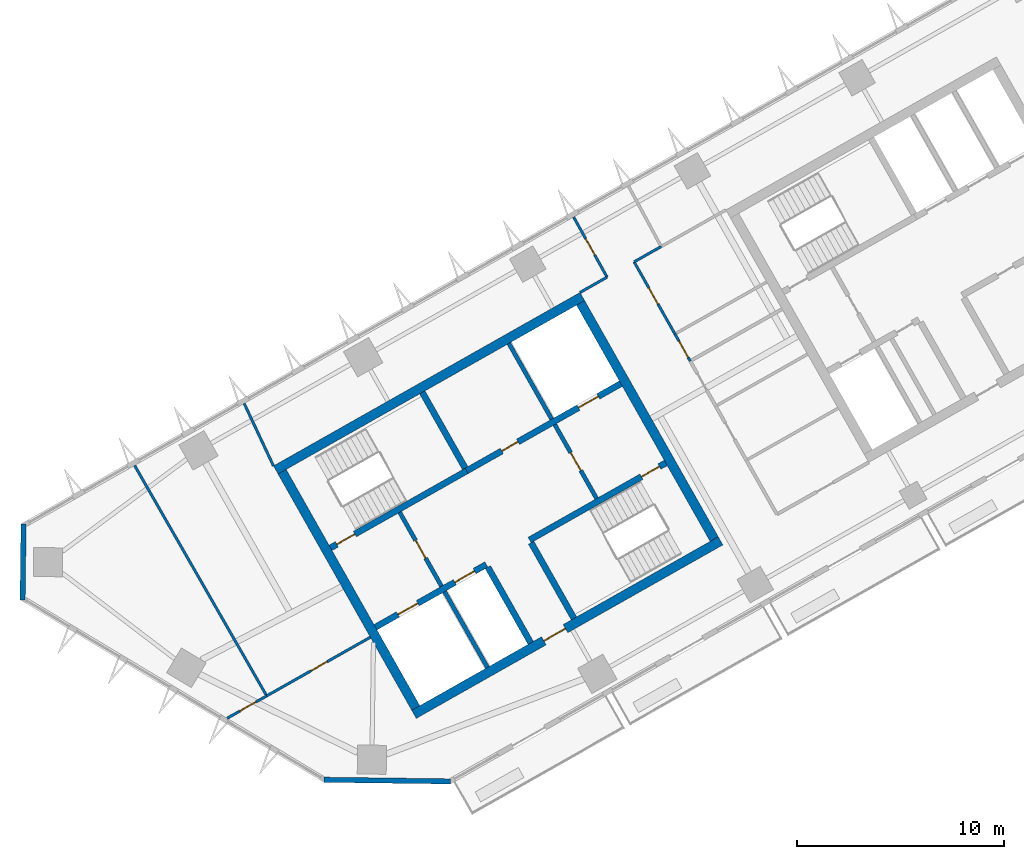
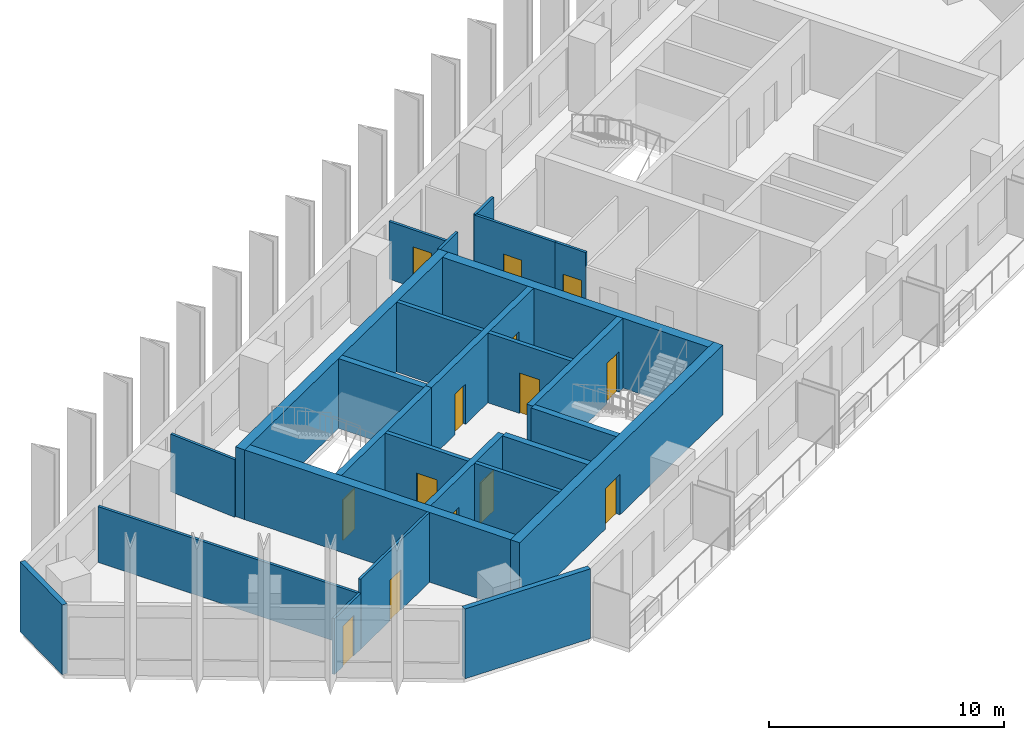
# One storey, part 3 of 11: 26 walls, 14 doors, 14 openings.
"""IFC4 building model written with IfcOpenShell, lengths in metres."""

from ifc_helpers import new_model, si_unit, direction, frame, frame_2d, origin, place, context, subcontext, project, spatial, rectangle, extrude, material, layer, layer_set, type_object, element, fill, save


model = new_model("IFC4")

# Units and contexts
model_context = context("Model", 3, precision=1e-05, world=origin(), true_north=direction((0.0, 1.0)))
body_context = subcontext(model_context, "Body", "Model", "MODEL_VIEW")
ifc_project = project(units=[si_unit("LENGTHUNIT", "METRE"), si_unit("AREAUNIT", "SQUARE_METRE"), si_unit("VOLUMEUNIT", "CUBIC_METRE"), si_unit("PLANEANGLEUNIT", "RADIAN"), si_unit("MASSUNIT", "GRAM", prefix="KILO")], contexts=[model_context])

# Site, building, storey
site_placement = place(None, origin())
site = spatial("IfcSite", under=ifc_project, at=site_placement, CompositionType="ELEMENT")
building_placement = place(site_placement, origin())
building = spatial("IfcBuilding", under=site, at=building_placement, Name="Binnacle Exchange Tower", CompositionType="ELEMENT")
storey_placement = place(building_placement, frame((0.0, 0.0, 223.10009765625)))
storey = spatial("IfcBuildingStorey", under=building, at=storey_placement, Name="L49", CompositionType="ELEMENT", Elevation=223.10009765625)

# Wall, openings, doors
ifc_material_1 = material(Name="Concrete C70/85", Category="concrete")
ifc_layer_1 = layer(ifc_material_1, 0.300048828125)
ifc_layer_set_1 = layer_set([ifc_layer_1], Name="Core wall - front 300")
wall_type_1 = type_object("IfcWallType", Name="Core wall - front 300", PredefinedType="SOLIDWALL", material=ifc_layer_set_1)
wall_1_placement = place(storey_placement, frame((-41.6865234375, 33.88720703125, 0.0), z_axis=(0.0, 0.0, 1.0), x_axis=(0.870355736587, 0.49242348826, 0.0)))
wall_1 = element("IfcWall", 1, at=wall_1_placement, inside=storey, type_object=wall_type_1, Name="Core wall CRWA2", PredefinedType="SOLIDWALL", context=body_context, shape_type="SweptSolid", body=[
    extrude(rectangle(XDim=6.14990234375, YDim=0.300048828125, at=frame_2d((3.074951171875, 0.0))), origin(), (0.0, 0.0, 1.0), 3.619873046875),
])
opening_1_placement = place(wall_1_placement, frame((1.25, 0.0, 0.0)))
opening_1 = element("IfcOpeningElement", 2, at=opening_1_placement, cuts=wall_1, Name="Opening LD12", PredefinedType="OPENING", context=body_context, shape_type="SweptSolid", body=[
    extrude(rectangle(XDim=1.10009765625, YDim=2.10009765625, at=frame_2d((0.550048828125, 1.050048828125))), frame((0.0, 0.159912109375, 0.0), z_axis=(0.0, -1.0, 0.0), x_axis=(1.0, 0.0, 0.0)), (0.0, 0.0, 1.0), 0.320068359375),
])
opening_2_placement = place(wall_1_placement, frame((4.39990234375, 0.0, 0.0)))
opening_2 = element("IfcOpeningElement", 3, at=opening_2_placement, cuts=wall_1, Name="Opening LD8", PredefinedType="OPENING", context=body_context, shape_type="SweptSolid", body=[
    extrude(rectangle(XDim=1.10009765625, YDim=2.10009765625, at=frame_2d((0.550048828125, 1.050048828125))), frame((0.0, 0.159912109375, 0.0), z_axis=(0.0, -1.0, 0.0), x_axis=(1.0, 0.0, 0.0)), (0.0, 0.0, 1.0), 0.320068359375),
])
ifc_material_2 = material(Name="Steel door leaf", Category="steel")
door_type_1 = type_object("IfcDoorType", Name="Fire door - lift landing 1100", OperationType="NOTDEFINED", PredefinedType="DOOR", material=ifc_material_2)
door_1_placement = place(opening_1_placement, origin())
door_1 = element("IfcDoor", 4, at=door_1_placement, inside=storey, type_object=door_type_1, Name="Landing door LD12 L49", OperationType="DOUBLE_DOOR_SLIDING", OverallHeight=2.10009765625, OverallWidth=1.10009765625, PredefinedType="DOOR", context=body_context, shape_type="SweptSolid", body=[
    extrude(rectangle(XDim=1.10009765625, YDim=2.10009765625, at=frame_2d((0.550048828125, 1.050048828125))), frame((0.0, 0.02490234375, 0.0), z_axis=(0.0, -1.0, 0.0), x_axis=(1.0, 0.0, 0.0)), (0.0, 0.0, 1.0), 0.050048828125),
])
fill(opening_1, door_1)
door_2_placement = place(opening_2_placement, origin())
door_2 = element("IfcDoor", 5, at=door_2_placement, inside=storey, type_object=door_type_1, Name="Landing door LD8 L49", OperationType="DOUBLE_DOOR_SLIDING", OverallHeight=2.10009765625, OverallWidth=1.10009765625, PredefinedType="DOOR", context=body_context, shape_type="SweptSolid", body=[
    extrude(rectangle(XDim=1.10009765625, YDim=2.10009765625, at=frame_2d((0.550048828125, 1.050048828125))), frame((0.0, 0.02490234375, 0.0), z_axis=(0.0, -1.0, 0.0), x_axis=(1.0, 0.0, 0.0)), (0.0, 0.0, 1.0), 0.050048828125),
])
fill(opening_2, door_2)

wall_2_placement = place(storey_placement, frame((-37.281982421875, 41.4345703125, 0.0), z_axis=(0.0, 0.0, 1.0), x_axis=(0.870352688754, 0.492428875248, 0.0)))
wall_2 = element("IfcWall", 6, at=wall_2_placement, inside=storey, type_object=wall_type_1, Name="Core wall CRWA5", PredefinedType="SOLIDWALL", context=body_context, shape_type="SweptSolid", body=[
    extrude(rectangle(XDim=8.5498046875, YDim=0.300048828125, at=frame_2d((4.27490234375, 0.0))), origin(), (0.0, 0.0, 1.0), 3.619873046875),
])
opening_3_placement = place(wall_2_placement, frame((6.199951171875, 0.0, 0.0)))
opening_3 = element("IfcOpeningElement", 7, at=opening_3_placement, cuts=wall_2, Name="Opening LD13", PredefinedType="OPENING", context=body_context, shape_type="SweptSolid", body=[
    extrude(rectangle(XDim=1.10009765625, YDim=2.10009765625, at=frame_2d((0.550048828125, 1.050048828125))), frame((0.0, 0.159912109375, 0.0), z_axis=(0.0, -1.0, 0.0), x_axis=(1.0, 0.0, 0.0)), (0.0, 0.0, 1.0), 0.320068359375),
])
opening_4_placement = place(wall_2_placement, frame((1.949951171875, 0.0, 0.0)))
opening_4 = element("IfcOpeningElement", 8, at=opening_4_placement, cuts=wall_2, Name="Opening DA10", PredefinedType="OPENING", context=body_context, shape_type="SweptSolid", body=[
    extrude(rectangle(XDim=0.89990234375, YDim=2.10009765625, at=frame_2d((0.449951171875, 1.050048828125))), frame((0.0, 0.159912109375, 0.0), z_axis=(0.0, -1.0, 0.0), x_axis=(1.0, 0.0, 0.0)), (0.0, 0.0, 1.0), 0.320068359375),
])
door_3_placement = place(opening_3_placement, origin())
door_3 = element("IfcDoor", 9, at=door_3_placement, inside=storey, type_object=door_type_1, Name="Landing door LD13 L49", OperationType="DOUBLE_DOOR_SLIDING", OverallHeight=2.10009765625, OverallWidth=1.10009765625, PredefinedType="DOOR", context=body_context, shape_type="SweptSolid", body=[
    extrude(rectangle(XDim=1.10009765625, YDim=2.10009765625, at=frame_2d((0.550048828125, 1.050048828125))), frame((0.0, 0.02490234375, 0.0), z_axis=(0.0, -1.0, 0.0), x_axis=(1.0, 0.0, 0.0)), (0.0, 0.0, 1.0), 0.050048828125),
])
fill(opening_3, door_3)
door_type_2 = type_object("IfcDoorType", Name="Fire door 900", OperationType="NOTDEFINED", PredefinedType="DOOR", material=ifc_material_2)
door_4_placement = place(opening_4_placement, origin())
door_4 = element("IfcDoor", 10, at=door_4_placement, inside=storey, type_object=door_type_2, Name="Core room door TELECOM RISER ROOM", OperationType="SINGLE_SWING_LEFT", OverallHeight=2.10009765625, OverallWidth=0.89990234375, PredefinedType="DOOR", context=body_context, shape_type="SweptSolid", body=[
    extrude(rectangle(XDim=0.89990234375, YDim=2.10009765625, at=frame_2d((0.449951171875, 1.050048828125))), frame((0.0, 0.02490234375, 0.0), z_axis=(0.0, -1.0, 0.0), x_axis=(1.0, 0.0, 0.0)), (0.0, 0.0, 1.0), 0.050048828125),
])
fill(opening_4, door_4)

# Wall
wall_3_placement = place(storey_placement, frame((-36.260009765625, 36.784912109375, 0.0), z_axis=(0.0, 0.0, 1.0), x_axis=(0.492409653846, -0.870363563575, 0.0)))
element("IfcWall", 11, at=wall_3_placement, inside=storey, type_object=wall_type_1, Name="Core wall CRWA13", PredefinedType="SOLIDWALL", context=body_context, shape_type="SweptSolid", body=[
    extrude(rectangle(XDim=4.199951171875, YDim=0.300048828125, at=frame_2d((2.10009765625, 0.0))), origin(), (0.0, 0.0, 1.0), 3.619873046875),
])

# Wall, opening, door
ifc_layer_2 = layer(ifc_material_1, 0.449951171875)
ifc_layer_set_2 = layer_set([ifc_layer_2], Name="Core wall - outer 450")
wall_type_2 = type_object("IfcWallType", Name="Core wall - outer 450", PredefinedType="SOLIDWALL", material=ifc_layer_set_2)
wall_4_placement = place(storey_placement, frame((-39.825439453125, 29.68359375, 0.0), z_axis=(0.0, 0.0, 1.0), x_axis=(0.870353598469, 0.492427267353, 0.0)))
wall_4 = element("IfcWall", 12, at=wall_4_placement, inside=storey, type_object=wall_type_2, Name="Core wall CRWA1", PredefinedType="SOLIDWALL", context=body_context, shape_type="SweptSolid", body=[
    extrude(rectangle(XDim=17.000244140625, YDim=0.449951171875, at=frame_2d((8.5, 0.0))), origin(), (0.0, 0.0, 1.0), 3.619873046875),
])
opening_5_placement = place(wall_4_placement, frame((7.199951171875, 0.0, 0.0)))
opening_5 = element("IfcOpeningElement", 13, at=opening_5_placement, cuts=wall_4, Name="Opening DA7", PredefinedType="OPENING", context=body_context, shape_type="SweptSolid", body=[
    extrude(rectangle(XDim=1.199951171875, YDim=2.10009765625, at=frame_2d((0.60009765625, 1.050048828125))), frame((0.0, 0.23486328125, 0.0), z_axis=(0.0, -1.0, 0.0), x_axis=(1.0, 0.0, 0.0)), (0.0, 0.0, 1.0), 0.469970703125),
])
door_type_3 = type_object("IfcDoorType", Name="Fire door 1200", OperationType="NOTDEFINED", PredefinedType="DOOR", material=ifc_material_2)
door_5_placement = place(opening_5_placement, frame((1.199951171875, 0.0, 0.0), z_axis=(0.0, 0.0, 1.0), x_axis=(-1.0, 0.0, 0.0)))
door_5 = element("IfcDoor", 14, at=door_5_placement, inside=storey, type_object=door_type_3, Name="Lift lobby entrance door core A", OperationType="SINGLE_SWING_RIGHT", OverallHeight=2.10009765625, OverallWidth=1.199951171875, PredefinedType="DOOR", context=body_context, shape_type="SweptSolid", body=[
    extrude(rectangle(XDim=1.199951171875, YDim=2.10009765625, at=frame_2d((0.60009765625, 1.050048828125))), frame((0.0, 0.02490234375, 0.0), z_axis=(0.0, -1.0, 0.0), x_axis=(1.0, 0.0, 0.0)), (0.0, 0.0, 1.0), 0.050048828125),
])
fill(opening_5, door_5)

# Walls
wall_5_placement = place(storey_placement, frame((-46.497802734375, 41.47705078125, 0.0), z_axis=(0.0, 0.0, 1.0), x_axis=(0.870359753402, 0.492416388494, 0.0)))
element("IfcWall", 15, at=wall_5_placement, inside=storey, type_object=wall_type_2, Name="Core wall CRWA6", PredefinedType="SOLIDWALL", context=body_context, shape_type="SweptSolid", body=[
    extrude(rectangle(XDim=17.0, YDim=0.449951171875, at=frame_2d((8.5, 0.0))), origin(), (0.0, 0.0, 1.0), 3.619873046875),
])
for number, where, z_axis, x_axis, name in (
    (16, (-46.191162109375, 41.391845703125, 0.0), (0.0, 0.0, 1.0), (0.492421378713, -0.870356930107, 0.0), "Core wall CRWA7"),
    (17, (-31.78662109375, 49.54150390625, 0.0), (0.0, 0.0, 1.0), (0.492421378713, -0.870356930107, 0.0), "Core wall CRWA22"),
):
    element("IfcWall", number, at=place(storey_placement, frame(where, z_axis=z_axis, x_axis=x_axis)), inside=storey, type_object=wall_type_2, Name=name, PredefinedType="SOLIDWALL", context=body_context, shape_type="SweptSolid", body=[
        extrude(rectangle(XDim=13.099853515625, YDim=0.449951171875, at=frame_2d((6.5498046875, 0.0))), origin(), (0.0, 0.0, 1.0), 3.619873046875),
    ])

# Wall, opening, door
ifc_layer_3 = layer(ifc_material_1, 0.300048828125)
ifc_layer_set_3 = layer_set([ifc_layer_3], Name="Core wall - stair 300")
wall_type_3 = type_object("IfcWallType", Name="Core wall - stair 300", PredefinedType="SOLIDWALL", material=ifc_layer_set_3)
wall_6_placement = place(storey_placement, frame((-34.2451171875, 38.097412109375, 0.0), z_axis=(0.0, 0.0, 1.0), x_axis=(0.870360409231, 0.492415229297, 0.0)))
wall_6 = element("IfcWall", 18, at=wall_6_placement, inside=storey, type_object=wall_type_3, Name="Core wall CRWA3", PredefinedType="SOLIDWALL", context=body_context, shape_type="SweptSolid", body=[
    extrude(rectangle(XDim=7.550048828125, YDim=0.300048828125, at=frame_2d((3.77490234375, 0.0))), origin(), (0.0, 0.0, 1.0), 3.619873046875),
])
opening_6_placement = place(wall_6_placement, frame((6.199951171875, 0.0, 0.0)))
opening_6 = element("IfcOpeningElement", 19, at=opening_6_placement, cuts=wall_6, Name="Opening DA2", PredefinedType="OPENING", context=body_context, shape_type="SweptSolid", body=[
    extrude(rectangle(XDim=1.0, YDim=2.10009765625, at=frame_2d((0.5, 1.050048828125))), frame((0.0, 0.159912109375, 0.0), z_axis=(0.0, -1.0, 0.0), x_axis=(1.0, 0.0, 0.0)), (0.0, 0.0, 1.0), 0.320068359375),
])
door_type_4 = type_object("IfcDoorType", Name="Fire door 1000", OperationType="NOTDEFINED", PredefinedType="DOOR", material=ifc_material_2)
door_6_placement = place(opening_6_placement, frame((1.0, 0.0, 0.0), z_axis=(0.0, 0.0, 1.0), x_axis=(-1.0, 0.0, 0.0)))
door_6 = element("IfcDoor", 20, at=door_6_placement, inside=storey, type_object=door_type_4, Name="Stair door ST-A2", OperationType="SINGLE_SWING_LEFT", OverallHeight=2.10009765625, OverallWidth=1.0, PredefinedType="DOOR", context=body_context, shape_type="SweptSolid", body=[
    extrude(rectangle(XDim=1.0, YDim=2.10009765625, at=frame_2d((0.5, 1.050048828125))), frame((0.0, 0.02490234375, 0.0), z_axis=(0.0, -1.0, 0.0), x_axis=(1.0, 0.0, 0.0)), (0.0, 0.0, 1.0), 0.050048828125),
])
fill(opening_6, door_6)

wall_7_placement = place(storey_placement, frame((-43.853271484375, 37.716796875, 0.0), z_axis=(0.0, 0.0, 1.0), x_axis=(0.870360409231, 0.492415229297, 0.0)))
wall_7 = element("IfcWall", 21, at=wall_7_placement, inside=storey, type_object=wall_type_3, Name="Core wall CRWA4", PredefinedType="SOLIDWALL", context=body_context, shape_type="SweptSolid", body=[
    extrude(rectangle(XDim=7.550048828125, YDim=0.300048828125, at=frame_2d((3.77490234375, 0.0))), origin(), (0.0, 0.0, 1.0), 3.619873046875),
])
opening_7_placement = place(wall_7_placement, frame((0.35009765625, 0.0, 0.0)))
opening_7 = element("IfcOpeningElement", 22, at=opening_7_placement, cuts=wall_7, Name="Opening DA1", PredefinedType="OPENING", context=body_context, shape_type="SweptSolid", body=[
    extrude(rectangle(XDim=1.0, YDim=2.10009765625, at=frame_2d((0.5, 1.050048828125))), frame((0.0, 0.159912109375, 0.0), z_axis=(0.0, -1.0, 0.0), x_axis=(1.0, 0.0, 0.0)), (0.0, 0.0, 1.0), 0.320068359375),
])
door_7_placement = place(opening_7_placement, origin())
door_7 = element("IfcDoor", 23, at=door_7_placement, inside=storey, type_object=door_type_4, Name="Stair door ST-A1", OperationType="SINGLE_SWING_LEFT", OverallHeight=2.10009765625, OverallWidth=1.0, PredefinedType="DOOR", context=body_context, shape_type="SweptSolid", body=[
    extrude(rectangle(XDim=1.0, YDim=2.10009765625, at=frame_2d((0.5, 1.050048828125))), frame((0.0, 0.02490234375, 0.0), z_axis=(0.0, -1.0, 0.0), x_axis=(1.0, 0.0, 0.0)), (0.0, 0.0, 1.0), 0.050048828125),
])
fill(opening_7, door_7)

# Walls
for number, where, z_axis, x_axis, name in (
    (24, (-39.424072265625, 45.220458984375, 0.0), (0.0, 0.0, 1.0), (0.492409653846, -0.870363563575, 0.0), "Core wall CRWA14"),
    (25, (-34.171142578125, 37.966796875, 0.0), (0.0, 0.0, 1.0), (0.492409653846, -0.870363563575, 0.0), "Core wall CRWA16"),
):
    element("IfcWall", number, at=place(storey_placement, frame(where, z_axis=z_axis, x_axis=x_axis)), inside=storey, type_object=wall_type_3, Name=name, PredefinedType="SOLIDWALL", context=body_context, shape_type="SweptSolid", body=[
        extrude(rectangle(XDim=4.199951171875, YDim=0.300048828125, at=frame_2d((2.10009765625, 0.0))), origin(), (0.0, 0.0, 1.0), 3.619873046875),
    ])
ifc_material_3 = material(Name="Bronze aluminium cladding", Category="aluminium")
ifc_layer_4 = layer(ifc_material_3, 0.25)
ifc_layer_set_4 = layer_set([ifc_layer_4], Name="External wall - window wall 250")
wall_type_4 = type_object("IfcWallType", Name="External wall - window wall 250", PredefinedType="STANDARD", material=ifc_layer_set_4)
wall_8_placement = place(storey_placement, frame((-38.06396484375, 26.44482421875, 0.0), z_axis=(0.0, 0.0, 1.0), x_axis=(-0.999914239143, 0.013096349097, 0.0)))
element("IfcWall", 26, at=wall_8_placement, inside=storey, type_object=wall_type_4, Name="External wall EW-G00 L49", PredefinedType="STANDARD", context=body_context, shape_type="SweptSolid", body=[
    extrude(rectangle(XDim=6.114501953125, YDim=0.25, at=frame_2d((3.05712890625, 0.0))), origin(), (0.0, 0.0, 1.0), 3.619873046875),
])
wall_9_placement = place(storey_placement, frame((-58.717041015625, 35.208251953125, 0.0), z_axis=(0.0, 0.0, 1.0), x_axis=(0.01310512158, 0.999914124207, 0.0)))
element("IfcWall", 27, at=wall_9_placement, inside=storey, type_object=wall_type_4, Name="External wall EW-G09 L49", PredefinedType="STANDARD", context=body_context, shape_type="SweptSolid", body=[
    extrude(rectangle(XDim=3.669921875, YDim=0.25, at=frame_2d((1.8349609375, 0.0))), origin(), (0.0, 0.0, 1.0), 3.619873046875),
])

# Wall, opening, door
ifc_material_4 = material(Name="Masonry block wall", Category="masonry")
ifc_layer_5 = layer(ifc_material_4, 0.199951171875)
ifc_layer_set_5 = layer_set([ifc_layer_5], Name="Fire wall - vestibule 200")
wall_type_5 = type_object("IfcWallType", Name="Fire wall - vestibule 200", PredefinedType="PARTITIONING", material=ifc_layer_set_5)
wall_10_placement = place(storey_placement, frame((-40.515625, 39.4326171875, 0.0), z_axis=(0.0, 0.0, 1.0), x_axis=(0.492453559952, -0.87033872216, 0.0)))
wall_10 = element("IfcWall", 28, at=wall_10_placement, inside=storey, type_object=wall_type_5, Name="Core wall CRWA10", PredefinedType="PARTITIONING", context=body_context, shape_type="SweptSolid", body=[
    extrude(rectangle(XDim=4.099853515625, YDim=0.199951171875, at=frame_2d((2.0498046875, 0.0))), origin(), (0.0, 0.0, 1.0), 3.619873046875),
])
opening_8_placement = place(wall_10_placement, frame((1.550048828125, 0.0, 0.0)))
opening_8 = element("IfcOpeningElement", 29, at=opening_8_placement, cuts=wall_10, Name="Opening DA3", PredefinedType="OPENING", context=body_context, shape_type="SweptSolid", body=[
    extrude(rectangle(XDim=1.0, YDim=2.10009765625, at=frame_2d((0.5, 1.050048828125))), frame((0.0, 0.10986328125, 0.0), z_axis=(0.0, -1.0, 0.0), x_axis=(1.0, 0.0, 0.0)), (0.0, 0.0, 1.0), 0.219970703125),
])
door_8_placement = place(opening_8_placement, frame((1.0, 0.0, 0.0), z_axis=(0.0, 0.0, 1.0), x_axis=(-1.0, 0.0, 0.0)))
door_8 = element("IfcDoor", 30, at=door_8_placement, inside=storey, type_object=door_type_4, Name="Vestibule door VEST-W", OperationType="SINGLE_SWING_LEFT", OverallHeight=2.10009765625, OverallWidth=1.0, PredefinedType="DOOR", context=body_context, shape_type="SweptSolid", body=[
    extrude(rectangle(XDim=1.0, YDim=2.10009765625, at=frame_2d((0.5, 1.050048828125))), frame((0.0, 0.02490234375, 0.0), z_axis=(0.0, -1.0, 0.0), x_axis=(1.0, 0.0, 0.0)), (0.0, 0.0, 1.0), 0.050048828125),
])
fill(opening_8, door_8)

wall_11_placement = place(storey_placement, frame((-33.030517578125, 43.66748046875, 0.0), z_axis=(0.0, 0.0, 1.0), x_axis=(0.492408451753, -0.87036424366, 0.0)))
wall_11 = element("IfcWall", 31, at=wall_11_placement, inside=storey, type_object=wall_type_5, Name="Core wall CRWA19", PredefinedType="PARTITIONING", context=body_context, shape_type="SweptSolid", body=[
    extrude(rectangle(XDim=4.099853515625, YDim=0.199951171875, at=frame_2d((2.0498046875, 0.0))), origin(), (0.0, 0.0, 1.0), 3.619873046875),
])
opening_9_placement = place(wall_11_placement, frame((1.550048828125, 0.0, 0.0)))
opening_9 = element("IfcOpeningElement", 32, at=opening_9_placement, cuts=wall_11, Name="Opening DA4", PredefinedType="OPENING", context=body_context, shape_type="SweptSolid", body=[
    extrude(rectangle(XDim=1.0, YDim=2.10009765625, at=frame_2d((0.5, 1.050048828125))), frame((0.0, 0.10986328125, 0.0), z_axis=(0.0, -1.0, 0.0), x_axis=(1.0, 0.0, 0.0)), (0.0, 0.0, 1.0), 0.219970703125),
])
door_9_placement = place(opening_9_placement, origin())
door_9 = element("IfcDoor", 33, at=door_9_placement, inside=storey, type_object=door_type_4, Name="Vestibule door VEST-E", OperationType="SINGLE_SWING_RIGHT", OverallHeight=2.10009765625, OverallWidth=1.0, PredefinedType="DOOR", context=body_context, shape_type="SweptSolid", body=[
    extrude(rectangle(XDim=1.0, YDim=2.10009765625, at=frame_2d((0.5, 1.050048828125))), frame((0.0, 0.02490234375, 0.0), z_axis=(0.0, -1.0, 0.0), x_axis=(1.0, 0.0, 0.0)), (0.0, 0.0, 1.0), 0.050048828125),
])
fill(opening_9, door_9)

# Wall
ifc_material_5 = material(Name="Gypsum partition")
ifc_layer_6 = layer(ifc_material_5, 0.125)
ifc_layer_set_6 = layer_set([ifc_layer_6], Name="Partition 125")
wall_type_6 = type_object("IfcWallType", Name="Partition 125", PredefinedType="PARTITIONING", material=ifc_layer_set_6)
wall_12_placement = place(storey_placement, frame((-53.31103515625, 41.695068359375, 0.0), z_axis=(0.0, 0.0, 1.0), x_axis=(0.497344363303, -0.867553216979, 0.0)))
element("IfcWall", 34, at=wall_12_placement, inside=storey, type_object=wall_type_6, Name="Partition W01", PredefinedType="PARTITIONING", context=body_context, shape_type="SweptSolid", body=[
    extrude(rectangle(XDim=12.820068359375, YDim=0.125, at=frame_2d((6.41015625, 0.0))), origin(), (0.0, 0.0, 1.0), 2.89990234375),
])

# Wall, opening, door
wall_13_placement = place(storey_placement, frame((-48.843017578125, 29.493896484375, 0.0), z_axis=(0.0, 0.0, 1.0), x_axis=(0.870427970258, 0.492295793799, 0.0)))
wall_13 = element("IfcWall", 35, at=wall_13_placement, inside=storey, type_object=wall_type_6, Name="Partition W02", PredefinedType="PARTITIONING", context=body_context, shape_type="SweptSolid", body=[
    extrude(rectangle(XDim=2.19189453125, YDim=0.125, at=frame_2d((1.095947265625, 0.0))), origin(), (0.0, 0.0, 1.0), 2.89990234375),
])
opening_10_placement = place(wall_13_placement, frame((0.699951171875, 0.0, 0.0)))
opening_10 = element("IfcOpeningElement", 36, at=opening_10_placement, cuts=wall_13, Name="Opening DL48-01", PredefinedType="OPENING", context=body_context, shape_type="SweptSolid", body=[
    extrude(rectangle(XDim=0.89990234375, YDim=2.10009765625, at=frame_2d((0.449951171875, 1.050048828125))), frame((0.0, 0.072509765625, 0.0), z_axis=(0.0, -1.0, 0.0), x_axis=(1.0, 0.0, 0.0)), (0.0, 0.0, 1.0), 0.14501953125),
])
ifc_material_6 = material(Name="Timber door leaf", Category="wood")
door_type_5 = type_object("IfcDoorType", Name="Door 900", OperationType="NOTDEFINED", PredefinedType="DOOR", material=ifc_material_6)
door_10_placement = place(opening_10_placement, origin())
door_10 = element("IfcDoor", 37, at=door_10_placement, inside=storey, type_object=door_type_5, Name="Door DL48-01", OperationType="SINGLE_SWING_RIGHT", OverallHeight=2.10009765625, OverallWidth=0.89990234375, PredefinedType="DOOR", context=body_context, shape_type="SweptSolid", body=[
    extrude(rectangle(XDim=0.89990234375, YDim=2.10009765625, at=frame_2d((0.449951171875, 1.050048828125))), frame((0.0, 0.02490234375, 0.0), z_axis=(0.0, -1.0, 0.0), x_axis=(1.0, 0.0, 0.0)), (0.0, 0.0, 1.0), 0.050048828125),
])
fill(opening_10, door_10)

# Wall
wall_14_placement = place(storey_placement, frame((-48.02197265625, 44.68701171875, 0.0), z_axis=(0.0, 0.0, 1.0), x_axis=(0.424510917438, -0.905422818895, 0.0)))
element("IfcWall", 38, at=wall_14_placement, inside=storey, type_object=wall_type_6, Name="Partition W03", PredefinedType="PARTITIONING", context=body_context, shape_type="SweptSolid", body=[
    extrude(rectangle(XDim=3.328857421875, YDim=0.125, at=frame_2d((1.66455078125, 0.0))), origin(), (0.0, 0.0, 1.0), 2.98779296875),
])

# Wall, opening, door
wall_15_placement = place(storey_placement, frame((-46.93505859375, 30.572998046875, 0.0), z_axis=(0.0, 0.0, 1.0), x_axis=(0.870367427407, 0.492402824229, 0.0)))
wall_15 = element("IfcWall", 39, at=wall_15_placement, inside=storey, type_object=wall_type_6, Name="Partition W04", PredefinedType="PARTITIONING", context=body_context, shape_type="SweptSolid", body=[
    extrude(rectangle(XDim=5.74951171875, YDim=0.125, at=frame_2d((2.874755859375, 0.0))), origin(), (0.0, 0.0, 1.0), 3.619873046875),
])
opening_11_placement = place(wall_15_placement, frame((2.449951171875, 0.0, 0.0)))
opening_11 = element("IfcOpeningElement", 40, at=opening_11_placement, cuts=wall_15, Name="Opening DL48-02", PredefinedType="OPENING", context=body_context, shape_type="SweptSolid", body=[
    extrude(rectangle(XDim=0.89990234375, YDim=2.10009765625, at=frame_2d((0.449951171875, 1.050048828125))), frame((0.0, 0.072509765625, 0.0), z_axis=(0.0, -1.0, 0.0), x_axis=(1.0, 0.0, 0.0)), (0.0, 0.0, 1.0), 0.14501953125),
])
door_11_placement = place(opening_11_placement, origin())
door_11 = element("IfcDoor", 41, at=door_11_placement, inside=storey, type_object=door_type_5, Name="Door DL48-02", OperationType="SINGLE_SWING_RIGHT", OverallHeight=2.10009765625, OverallWidth=0.89990234375, PredefinedType="DOOR", context=body_context, shape_type="SweptSolid", body=[
    extrude(rectangle(XDim=0.89990234375, YDim=2.10009765625, at=frame_2d((0.449951171875, 1.050048828125))), frame((0.0, 0.02490234375, 0.0), z_axis=(0.0, -1.0, 0.0), x_axis=(1.0, 0.0, 0.0)), (0.0, 0.0, 1.0), 0.050048828125),
])
fill(opening_11, door_11)

wall_16_placement = place(storey_placement, frame((-32.12109375, 53.68310546875, 0.0), z_axis=(0.0, 0.0, 1.0), x_axis=(0.486292328656, -0.873796183952, 0.0)))
wall_16 = element("IfcWall", 42, at=wall_16_placement, inside=storey, type_object=wall_type_6, Name="Partition W05", PredefinedType="PARTITIONING", context=body_context, shape_type="SweptSolid", body=[
    extrude(rectangle(XDim=3.319091796875, YDim=0.125, at=frame_2d((1.65966796875, 0.0))), origin(), (0.0, 0.0, 1.0), 2.98779296875),
])
opening_12_placement = place(wall_16_placement, frame((1.199951171875, 0.0, 0.0)))
opening_12 = element("IfcOpeningElement", 43, at=opening_12_placement, cuts=wall_16, Name="Opening DL48-03", PredefinedType="OPENING", context=body_context, shape_type="SweptSolid", body=[
    extrude(rectangle(XDim=0.89990234375, YDim=2.10009765625, at=frame_2d((0.449951171875, 1.050048828125))), frame((0.0, 0.072509765625, 0.0), z_axis=(0.0, -1.0, 0.0), x_axis=(1.0, 0.0, 0.0)), (0.0, 0.0, 1.0), 0.14501953125),
])
door_12_placement = place(opening_12_placement, frame((0.89990234375, 0.0, 0.0), z_axis=(0.0, 0.0, 1.0), x_axis=(-1.0, 0.0, 0.0)))
door_12 = element("IfcDoor", 44, at=door_12_placement, inside=storey, type_object=door_type_5, Name="Door DL48-03", OperationType="SINGLE_SWING_RIGHT", OverallHeight=2.10009765625, OverallWidth=0.89990234375, PredefinedType="DOOR", context=body_context, shape_type="SweptSolid", body=[
    extrude(rectangle(XDim=0.89990234375, YDim=2.10009765625, at=frame_2d((0.449951171875, 1.050048828125))), frame((0.0, 0.02490234375, 0.0), z_axis=(0.0, -1.0, 0.0), x_axis=(1.0, 0.0, 0.0)), (0.0, 0.0, 1.0), 0.050048828125),
])
fill(opening_12, door_12)

# Walls
for number, where, z_axis, x_axis, name in (
    (45, (-31.81201171875, 50.0439453125, 0.0), (0.0, 0.0, 1.0), (0.870150176056, 0.492786638526, 0.0), "Partition W06"),
    (46, (-29.200927734375, 51.52099609375, 0.0), (0.0, 0.0, 1.0), (0.870150176056, 0.492786638526, 0.0), "Partition W08"),
):
    element("IfcWall", number, at=place(storey_placement, frame(where, z_axis=z_axis, x_axis=x_axis)), inside=storey, type_object=wall_type_6, Name=name, PredefinedType="PARTITIONING", context=body_context, shape_type="SweptSolid", body=[
        extrude(rectangle(XDim=1.499755859375, YDim=0.125, at=frame_2d((0.75, 0.0))), origin(), (0.0, 0.0, 1.0), 3.619873046875),
    ])

# Wall, opening, door
wall_17_placement = place(storey_placement, frame((-29.200927734375, 51.52099609375, 0.0), z_axis=(0.0, 0.0, 1.0), x_axis=(0.492340861121, -0.870402479587, 0.0)))
wall_17 = element("IfcWall", 47, at=wall_17_placement, inside=storey, type_object=wall_type_6, Name="Partition W09", PredefinedType="PARTITIONING", context=body_context, shape_type="SweptSolid", body=[
    extrude(rectangle(XDim=3.999267578125, YDim=0.125, at=frame_2d((1.99951171875, 0.0))), origin(), (0.0, 0.0, 1.0), 3.619873046875),
])
opening_13_placement = place(wall_17_placement, frame((1.449951171875, 0.0, 0.0)))
opening_13 = element("IfcOpeningElement", 48, at=opening_13_placement, cuts=wall_17, Name="Opening DL48-04", PredefinedType="OPENING", context=body_context, shape_type="SweptSolid", body=[
    extrude(rectangle(XDim=0.89990234375, YDim=2.10009765625, at=frame_2d((0.449951171875, 1.050048828125))), frame((0.0, 0.072509765625, 0.0), z_axis=(0.0, -1.0, 0.0), x_axis=(1.0, 0.0, 0.0)), (0.0, 0.0, 1.0), 0.14501953125),
])
door_13_placement = place(opening_13_placement, origin())
door_13 = element("IfcDoor", 49, at=door_13_placement, inside=storey, type_object=door_type_5, Name="Door DL48-04", OperationType="SINGLE_SWING_LEFT", OverallHeight=2.10009765625, OverallWidth=0.89990234375, PredefinedType="DOOR", context=body_context, shape_type="SweptSolid", body=[
    extrude(rectangle(XDim=0.89990234375, YDim=2.10009765625, at=frame_2d((0.449951171875, 1.050048828125))), frame((0.0, 0.02490234375, 0.0), z_axis=(0.0, -1.0, 0.0), x_axis=(1.0, 0.0, 0.0)), (0.0, 0.0, 1.0), 0.050048828125),
])
fill(opening_13, door_13)

wall_18_placement = place(storey_placement, frame((-27.23193359375, 48.0400390625, 0.0), z_axis=(0.0, 0.0, 1.0), x_axis=(0.492437810475, -0.870347633314, 0.0)))
wall_18 = element("IfcWall", 50, at=wall_18_placement, inside=storey, type_object=wall_type_6, Name="Partition W11", PredefinedType="PARTITIONING", context=body_context, shape_type="SweptSolid", body=[
    extrude(rectangle(XDim=1.500732421875, YDim=0.125, at=frame_2d((0.75048828125, 0.0))), origin(), (0.0, 0.0, 1.0), 3.619873046875),
])
opening_14_placement = place(wall_18_placement, frame((0.39990234375, 0.0, 0.0)))
opening_14 = element("IfcOpeningElement", 51, at=opening_14_placement, cuts=wall_18, Name="Opening DL48-08", PredefinedType="OPENING", context=body_context, shape_type="SweptSolid", body=[
    extrude(rectangle(XDim=0.89990234375, YDim=2.10009765625, at=frame_2d((0.449951171875, 1.050048828125))), frame((0.0, 0.072509765625, 0.0), z_axis=(0.0, -1.0, 0.0), x_axis=(1.0, 0.0, 0.0)), (0.0, 0.0, 1.0), 0.14501953125),
])
door_14_placement = place(opening_14_placement, origin())
door_14 = element("IfcDoor", 52, at=door_14_placement, inside=storey, type_object=door_type_5, Name="Door DL48-08", OperationType="SINGLE_SWING_RIGHT", OverallHeight=2.10009765625, OverallWidth=0.89990234375, PredefinedType="DOOR", context=body_context, shape_type="SweptSolid", body=[
    extrude(rectangle(XDim=0.89990234375, YDim=2.10009765625, at=frame_2d((0.449951171875, 1.050048828125))), frame((0.0, 0.02490234375, 0.0), z_axis=(0.0, -1.0, 0.0), x_axis=(1.0, 0.0, 0.0)), (0.0, 0.0, 1.0), 0.050048828125),
])
fill(opening_14, door_14)

# Walls
ifc_layer_7 = layer(ifc_material_4, 0.199951171875)
ifc_layer_set_7 = layer_set([ifc_layer_7], Name="Shaft wall 200")
wall_type_7 = type_object("IfcWallType", Name="Shaft wall 200", PredefinedType="SOLIDWALL", material=ifc_layer_set_7)
for number, where, z_axis, x_axis, name in (
    (53, (-38.348876953125, 35.603271484375, 0.0), (0.0, 0.0, 1.0), (0.492409653846, -0.870363563575, 0.0), "Core wall CRWA9"),
    (54, (-35.246337890625, 47.584228515625, 0.0), (0.0, 0.0, 1.0), (0.492409653846, -0.870363563575, 0.0), "Core wall CRWA21"),
):
    element("IfcWall", number, at=place(storey_placement, frame(where, z_axis=z_axis, x_axis=x_axis)), inside=storey, type_object=wall_type_7, Name=name, PredefinedType="SOLIDWALL", context=body_context, shape_type="SweptSolid", body=[
        extrude(rectangle(XDim=4.199951171875, YDim=0.199951171875, at=frame_2d((2.10009765625, 0.0))), origin(), (0.0, 0.0, 1.0), 3.619873046875),
    ])

save(model, "model.ifc")
